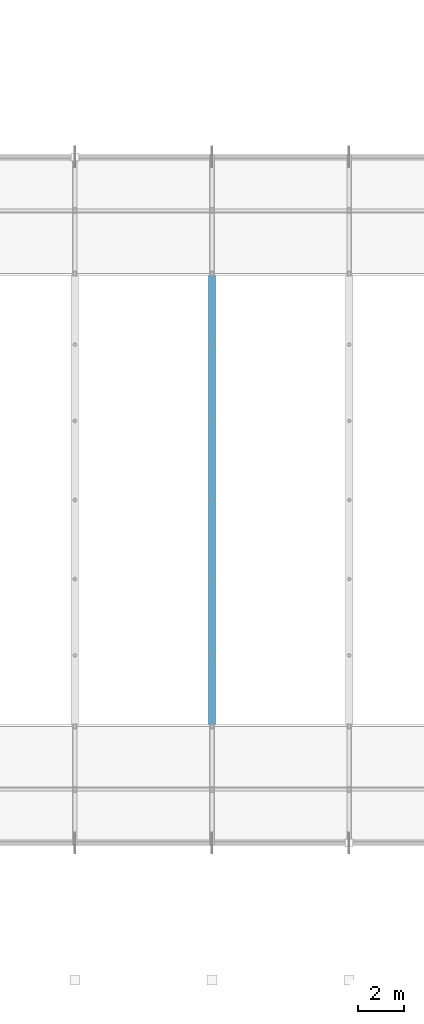
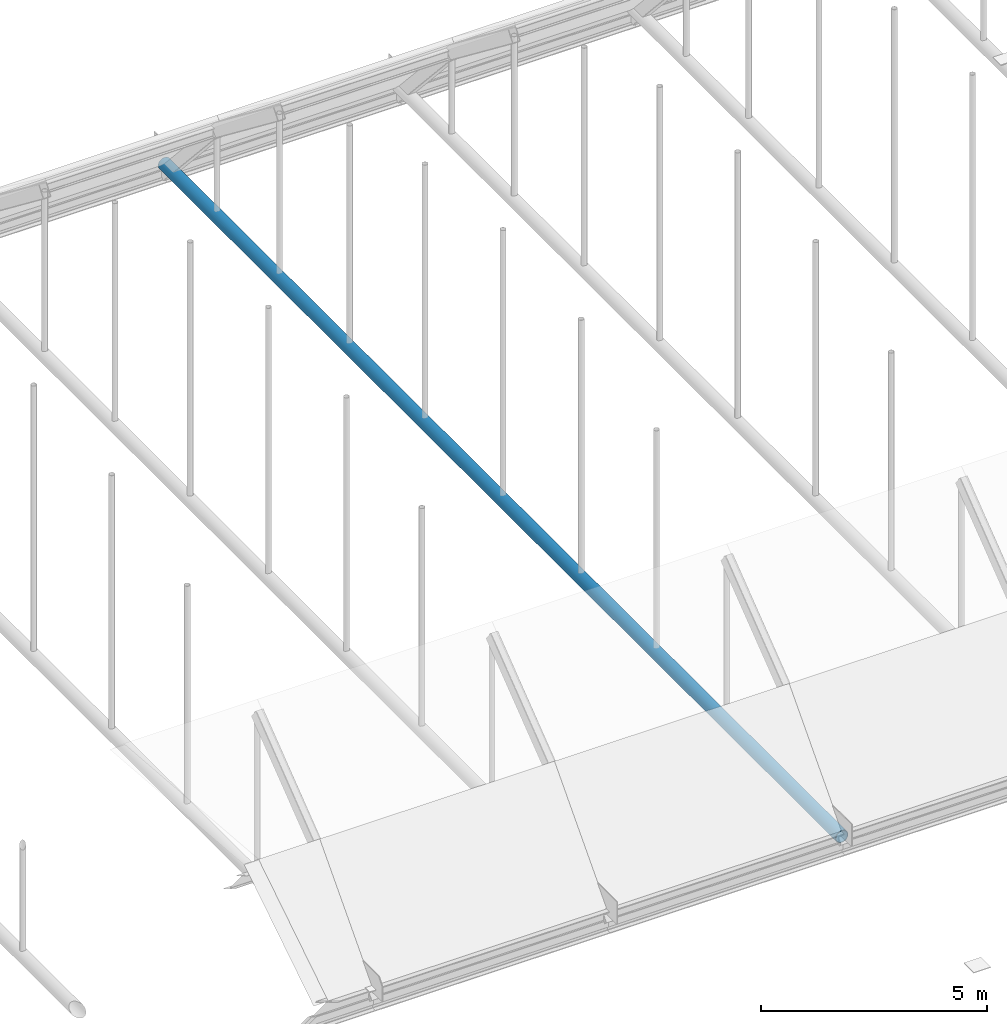
# One storey, part 48 of 116: 1 member.
"""IFC4 building model written with IfcOpenShell, lengths in metres."""

from ifc_helpers import new_model, si_unit, direction, frame, origin, origin_2d, place, context, subcontext, project, spatial, hollow_circle, extrude, material, material_profile, profile_set, type_object, element, save


model = new_model("IFC4")

# Units and contexts
model_context = context("Model", 3, precision=1e-05, world=origin(), true_north=direction((0.0, 1.0)))
body_context = subcontext(model_context, "Body", "Model", "MODEL_VIEW")
ifc_project = project(units=[si_unit("LENGTHUNIT", "METRE"), si_unit("AREAUNIT", "SQUARE_METRE"), si_unit("VOLUMEUNIT", "CUBIC_METRE"), si_unit("PLANEANGLEUNIT", "RADIAN"), si_unit("MASSUNIT", "GRAM", prefix="KILO")], contexts=[model_context])

# Site, building, storey
site_placement = place(None, origin())
site = spatial("IfcSite", under=ifc_project, at=site_placement, CompositionType="ELEMENT")
building_placement = place(site_placement, origin())
building = spatial("IfcBuilding", under=site, at=building_placement, Name="Varnakota Square Police Headquarters", CompositionType="ELEMENT")
storey_placement = place(building_placement, frame((0.0, 0.0, 9.300048828125)))
storey = spatial("IfcBuildingStorey", under=building, at=storey_placement, Name="L02", CompositionType="ELEMENT", Elevation=9.300048828125)

# Member
ifc_material = material(Name="Steel IS 2062 Grade 350", Category="steel")
ifc_material_profile = material_profile(ifc_material, hollow_circle(Radius=0.161865234375, WallThickness=0.0126953125, at=origin_2d()), Name="CHS 323.9x12.7")
ifc_profile_set = profile_set([ifc_material_profile], Name="Steel IS 2062 Grade 350")
member_type = type_object("IfcMemberType", Name="MEM-TIE-CHS273", PredefinedType="CHORD", material=ifc_profile_set)
member_placement = place(storey_placement, frame((78.0, 9.0, -0.150146484375), z_axis=(0.0, 1.0, 0.0), x_axis=(-1.0, 0.0, 0.0)))
element("IfcMember", 1, at=member_placement, inside=storey, type_object=member_type, Name="Barrel vault tie rod V1-R05", PredefinedType="CHORD", context=body_context, shape_type="SweptSolid", body=[
    extrude(hollow_circle(Radius=0.161865234375, WallThickness=0.0126953125, at=origin_2d()), origin(), (0.0, 0.0, 1.0), 30.0),
])

save(model, "model.ifc")
